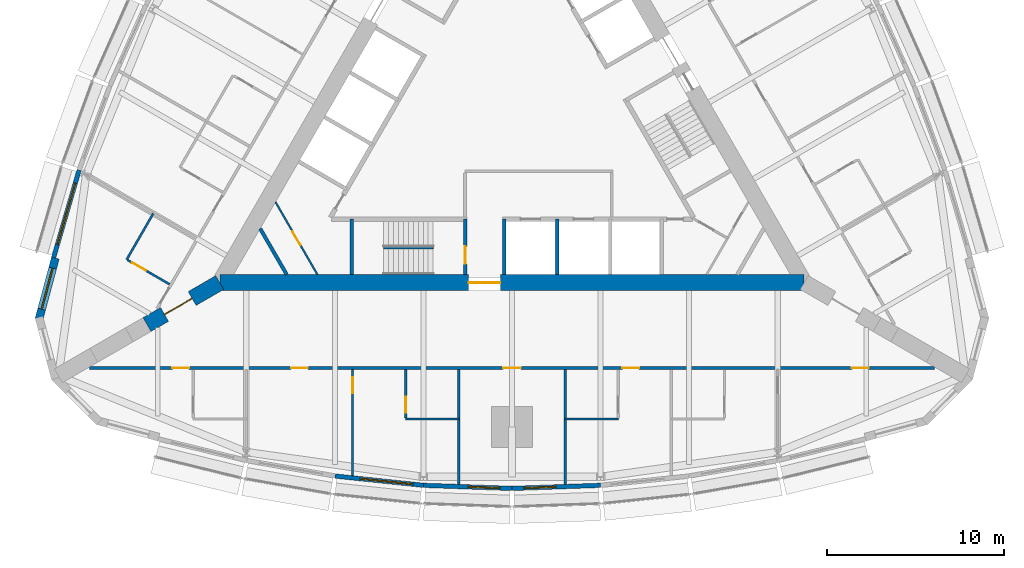
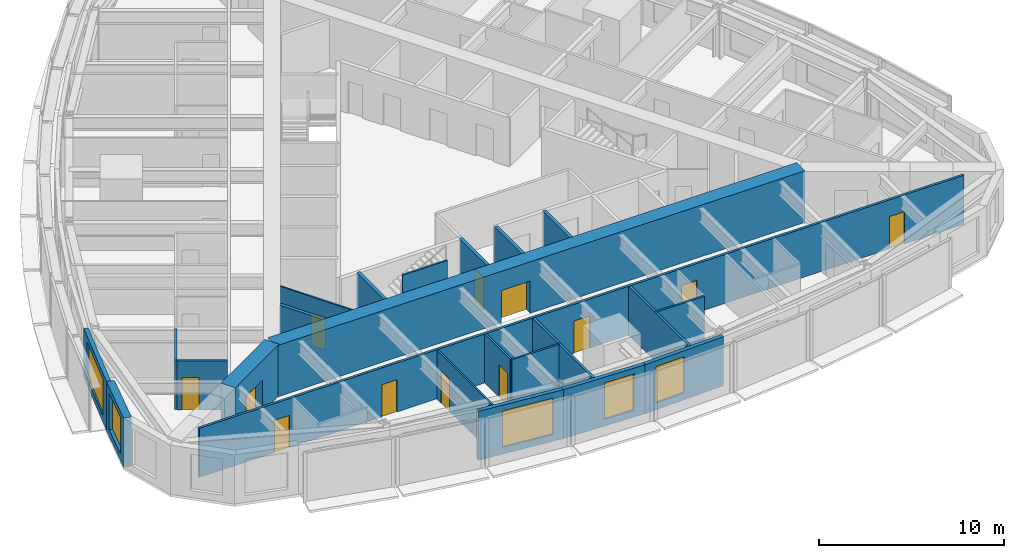
# One storey, part 8 of 14: 23 walls, 12 doors, 5 windows, 17 openings.
"""IFC4 building model written with IfcOpenShell, lengths in metres."""

from ifc_helpers import new_model, si_unit, direction, frame, frame_2d, origin, place, context, subcontext, project, spatial, rectangle, extrude, material, layer, layer_set, type_object, element, fill, save


model = new_model("IFC4")

# Units and contexts
model_context = context("Model", 3, precision=1e-05, world=origin(), true_north=direction((0.0, 1.0)))
body_context = subcontext(model_context, "Body", "Model", "MODEL_VIEW")
ifc_project = project(units=[si_unit("LENGTHUNIT", "METRE"), si_unit("AREAUNIT", "SQUARE_METRE"), si_unit("VOLUMEUNIT", "CUBIC_METRE"), si_unit("PLANEANGLEUNIT", "RADIAN"), si_unit("MASSUNIT", "GRAM", prefix="KILO")], contexts=[model_context])

# Site, building, storey
site_placement = place(None, origin())
site = spatial("IfcSite", under=ifc_project, at=site_placement, CompositionType="ELEMENT")
building_placement = place(site_placement, origin())
building = spatial("IfcBuilding", under=site, at=building_placement, Name="Trikona Tower", CompositionType="ELEMENT")
storey_placement = place(building_placement, frame((0.0, 0.0, 172.5)))
storey = spatial("IfcBuildingStorey", under=building, at=storey_placement, Name="L46", CompositionType="ELEMENT", Elevation=172.5)

# Wall
ifc_material_1 = material(Name="Metal stud and cement board", Category="gypsum")
ifc_layer_1 = layer(ifc_material_1, 0.1201171875)
ifc_layer_set_1 = layer_set([ifc_layer_1], Name="Bathroom wall 120")
wall_type_1 = type_object("IfcWallType", Name="Bathroom wall 120", PredefinedType="PLUMBINGWALL", material=ifc_layer_set_1)
wall_1_placement = place(storey_placement, frame((-6.0, -17.226318359375, 0.0), z_axis=(0.0, 0.0, 1.0), x_axis=(1.0, 0.0, 0.0)))
element("IfcWall", 1, at=wall_1_placement, inside=storey, type_object=wall_type_1, Name="Bathroom wall 4602.1", PredefinedType="PLUMBINGWALL", context=body_context, shape_type="SweptSolid", body=[
    extrude(rectangle(XDim=3.0, YDim=0.1201171875, at=frame_2d((1.5, 0.0))), origin(), (0.0, 0.0, 1.0), 3.235107421875),
])

# Wall, opening, door
wall_2_placement = place(storey_placement, frame((-6.0, -14.42626953125, 0.0), z_axis=(0.0, 0.0, 1.0), x_axis=(0.0, -1.0, 0.0)))
wall_2 = element("IfcWall", 2, at=wall_2_placement, inside=storey, type_object=wall_type_1, Name="Bathroom wall 4602.1", PredefinedType="PLUMBINGWALL", context=body_context, shape_type="SweptSolid", body=[
    extrude(rectangle(XDim=2.739990234375, YDim=0.1201171875, at=frame_2d((1.3701171875, 0.0))), origin(), (0.0, 0.0, 1.0), 3.235107421875),
])
opening_1_placement = place(wall_2_placement, frame((1.550048828125, 0.0, 0.0)))
opening_1 = element("IfcOpeningElement", 3, at=opening_1_placement, cuts=wall_2, Name="Opening D2", PredefinedType="OPENING", context=body_context, shape_type="SweptSolid", body=[
    extrude(rectangle(XDim=0.89990234375, YDim=2.1298828125, at=frame_2d((0.449951171875, 1.06494140625))), frame((0.0, 0.070068359375, 0.0), z_axis=(0.0, -1.0, 0.0), x_axis=(1.0, 0.0, 0.0)), (0.0, 0.0, 1.0), 0.14013671875),
])
ifc_material_2 = material(Name="Steel door frame with solid-core timber leaf", Category="steel")
door_type_1 = type_object("IfcDoorType", Name="Bathroom door 900x2130", OperationType="SLIDING_TO_LEFT", PredefinedType="DOOR", material=ifc_material_2)
door_1_placement = place(opening_1_placement, origin())
door_1 = element("IfcDoor", 4, at=door_1_placement, inside=storey, type_object=door_type_1, Name="Bathroom door 4602.1", OperationType="SLIDING_TO_LEFT", OverallHeight=2.1298828125, OverallWidth=0.89990234375, PredefinedType="DOOR", context=body_context, shape_type="SweptSolid", body=[
    extrude(rectangle(XDim=0.89990234375, YDim=2.1298828125, at=frame_2d((0.449951171875, 1.06494140625))), frame((0.0, 0.02490234375, 0.0), z_axis=(0.0, -1.0, 0.0), x_axis=(1.0, 0.0, 0.0)), (0.0, 0.0, 1.0), 0.050048828125),
])
fill(opening_1, door_1)

# Walls
for number, where, z_axis, x_axis, name in (
    (5, (3.0, -17.226318359375, 0.0), (0.0, 0.0, 1.0), (1.0, 0.0, 0.0), "Bathroom wall 4603"),
    (6, (-20.25341796875, -5.627197265625, 0.0), (0.0, 0.0, 1.0), (-0.499990139034, -0.866031096941, 0.0), "Bathroom wall 4613"),
):
    element("IfcWall", number, at=place(storey_placement, frame(where, z_axis=z_axis, x_axis=x_axis)), inside=storey, type_object=wall_type_1, Name=name, PredefinedType="PLUMBINGWALL", context=body_context, shape_type="SweptSolid", body=[
        extrude(rectangle(XDim=3.0, YDim=0.1201171875, at=frame_2d((1.5, 0.0))), origin(), (0.0, 0.0, 1.0), 3.235107421875),
    ])

# Wall, opening, door
wall_3_placement = place(storey_placement, frame((-19.32861328125, -9.625244140625, 0.0), z_axis=(0.0, 0.0, 1.0), x_axis=(-0.866035715982, 0.499982138324, 0.0)))
wall_3 = element("IfcWall", 7, at=wall_3_placement, inside=storey, type_object=wall_type_1, Name="Bathroom wall 4613", PredefinedType="PLUMBINGWALL", context=body_context, shape_type="SweptSolid", body=[
    extrude(rectangle(XDim=2.73974609375, YDim=0.1201171875, at=frame_2d((1.369873046875, 0.0))), origin(), (0.0, 0.0, 1.0), 3.235107421875),
])
opening_2_placement = place(wall_3_placement, frame((1.550048828125, 0.0, 0.0)))
opening_2 = element("IfcOpeningElement", 8, at=opening_2_placement, cuts=wall_3, Name="Opening D2", PredefinedType="OPENING", context=body_context, shape_type="SweptSolid", body=[
    extrude(rectangle(XDim=0.89990234375, YDim=2.1298828125, at=frame_2d((0.449951171875, 1.06494140625))), frame((0.0, 0.070068359375, 0.0), z_axis=(0.0, -1.0, 0.0), x_axis=(1.0, 0.0, 0.0)), (0.0, 0.0, 1.0), 0.14013671875),
])
door_2_placement = place(opening_2_placement, origin())
door_2 = element("IfcDoor", 9, at=door_2_placement, inside=storey, type_object=door_type_1, Name="Bathroom door 4613", OperationType="SLIDING_TO_LEFT", OverallHeight=2.1298828125, OverallWidth=0.89990234375, PredefinedType="DOOR", context=body_context, shape_type="SweptSolid", body=[
    extrude(rectangle(XDim=0.89990234375, YDim=2.1298828125, at=frame_2d((0.449951171875, 1.06494140625))), frame((0.0, 0.02490234375, 0.0), z_axis=(0.0, -1.0, 0.0), x_axis=(1.0, 0.0, 0.0)), (0.0, 0.0, 1.0), 0.050048828125),
])
fill(opening_2, door_2)

# Wall, opening, window
ifc_material_3 = material(Name="Brick-faced precast concrete", Category="masonry")
ifc_layer_2 = layer(ifc_material_3, 0.449951171875)
ifc_layer_set_2 = layer_set([ifc_layer_2], Name="Brick-faced corner wall 450")
wall_type_2 = type_object("IfcWallType", Name="Brick-faced corner wall 450", PredefinedType="SOLIDWALL", material=ifc_layer_set_2)
wall_4_placement = place(storey_placement, frame((-25.78271484375, -8.14111328125, 0.0), z_axis=(0.0, 0.0, 1.0), x_axis=(-0.258823421857, -0.965924653531, 0.0)))
wall_4 = element("IfcWall", 10, at=wall_4_placement, inside=storey, type_object=wall_type_2, Name="External wall L46-32", PredefinedType="SOLIDWALL", context=body_context, shape_type="SweptSolid", body=[
    extrude(rectangle(XDim=3.58642578125, YDim=0.449951171875, at=frame_2d((1.793212890625, 0.0))), origin(), (0.0, 0.0, 1.0), 3.235107421875),
])
opening_3_placement = place(wall_4_placement, frame((0.593017578125, 0.0, 0.449951171875)))
opening_3 = element("IfcOpeningElement", 11, at=opening_3_placement, cuts=wall_4, Name="Opening W2424", PredefinedType="OPENING", context=body_context, shape_type="SweptSolid", body=[
    extrude(rectangle(XDim=2.39990234375, YDim=2.39990234375, at=frame_2d((1.199951171875, 1.199951171875))), frame((0.0, 0.23486328125, 0.0), z_axis=(0.0, -1.0, 0.0), x_axis=(1.0, 0.0, 0.0)), (0.0, 0.0, 1.0), 0.469970703125),
])
ifc_material_4 = material(Name="Aluminium-framed double glazing", Category="aluminium")
window_type_1 = type_object("IfcWindowType", Name="Window 2400x2400", PartitioningType="SINGLE_PANEL", PredefinedType="WINDOW", material=ifc_material_4)
window_1_placement = place(opening_3_placement, origin())
window_1 = element("IfcWindow", 12, at=window_1_placement, inside=storey, type_object=window_type_1, Name="Window 4613", OverallHeight=2.39990234375, OverallWidth=2.39990234375, PartitioningType="SINGLE_PANEL", PredefinedType="WINDOW", context=body_context, shape_type="SweptSolid", body=[
    extrude(rectangle(XDim=2.39990234375, YDim=2.39990234375, at=frame_2d((1.199951171875, 1.199951171875))), frame((0.0, 0.030029296875, 0.0), z_axis=(0.0, -1.0, 0.0), x_axis=(1.0, 0.0, 0.0)), (0.0, 0.0, 1.0), 0.06005859375),
])
fill(opening_3, window_1)

# Wall, opening, door
ifc_material_5 = material(Name="Concrete f'c 10000 psi", Category="concrete")
ifc_layer_3 = layer(ifc_material_5, 0.89990234375)
ifc_layer_set_3 = layer_set([ifc_layer_3], Name="Buttress wall 900")
wall_type_3 = type_object("IfcWallType", Name="Buttress wall 900", PredefinedType="SHEAR", material=ifc_layer_set_3)
wall_5_placement = place(storey_placement, frame((-16.5, -9.5263671875, 0.0), z_axis=(0.0, 0.0, 1.0), x_axis=(-0.866031398331, -0.499989616998, 0.0)))
wall_5 = element("IfcWall", 13, at=wall_5_placement, inside=storey, type_object=wall_type_3, Name="Buttress wall 3", PredefinedType="SHEAR", context=body_context, shape_type="SweptSolid", body=[
    extrude(rectangle(XDim=4.74609375, YDim=0.89990234375, at=frame_2d((2.373046875, 0.0))), origin(), (0.0, 0.0, 1.0), 3.39990234375),
])
opening_4_placement = place(wall_5_placement, frame((1.800048828125, 0.0, 0.0)))
opening_4 = element("IfcOpeningElement", 14, at=opening_4_placement, cuts=wall_5, Name="Opening D10", PredefinedType="OPENING", context=body_context, shape_type="SweptSolid", body=[
    extrude(rectangle(XDim=1.800048828125, YDim=2.1298828125, at=frame_2d((0.89990234375, 1.06494140625))), frame((0.0, 0.4599609375, 0.0), z_axis=(0.0, -1.0, 0.0), x_axis=(1.0, 0.0, 0.0)), (0.0, 0.0, 1.0), 0.919921875),
])
ifc_material_6 = material(Name="Hollow metal door and frame", Category="steel")
door_type_2 = type_object("IfcDoorType", Name="Cross-corridor door pair 1800x2130", OperationType="DOUBLE_DOOR_DOUBLE_SWING", PredefinedType="DOOR", material=ifc_material_6)
door_3_placement = place(opening_4_placement, origin())
door_3 = element("IfcDoor", 15, at=door_3_placement, inside=storey, type_object=door_type_2, Name="Cross-corridor door 3", OperationType="DOUBLE_DOOR_DOUBLE_SWING", OverallHeight=2.1298828125, OverallWidth=1.800048828125, PredefinedType="DOOR", context=body_context, shape_type="SweptSolid", body=[
    extrude(rectangle(XDim=1.800048828125, YDim=2.1298828125, at=frame_2d((0.89990234375, 1.06494140625))), frame((0.0, 0.02490234375, 0.0), z_axis=(0.0, -1.0, 0.0), x_axis=(1.0, 0.0, 0.0)), (0.0, 0.0, 1.0), 0.050048828125),
])
fill(opening_4, door_3)

ifc_material_7 = material(Name="Concrete f'c 10000 psi", Category="concrete")
ifc_layer_4 = layer(ifc_material_7, 0.89990234375)
ifc_layer_set_4 = layer_set([ifc_layer_4], Name="Core wall 900")
wall_type_4 = type_object("IfcWallType", Name="Core wall 900", PredefinedType="SHEAR", material=ifc_layer_set_4)
wall_6_placement = place(storey_placement, frame((-16.5, -9.5263671875, 0.0), z_axis=(0.0, 0.0, 1.0), x_axis=(1.0, 0.0, 0.0)))
wall_6 = element("IfcWall", 16, at=wall_6_placement, inside=storey, type_object=wall_type_4, Name="Core wall A", PredefinedType="SHEAR", context=body_context, shape_type="SweptSolid", body=[
    extrude(rectangle(XDim=33.0, YDim=0.89990234375, at=frame_2d((16.5, 0.0))), origin(), (0.0, 0.0, 1.0), 3.39990234375),
])
opening_5_placement = place(wall_6_placement, frame((14.050048828125, 0.0, 0.0)))
opening_5 = element("IfcOpeningElement", 17, at=opening_5_placement, cuts=wall_6, Name="Opening D6", PredefinedType="OPENING", context=body_context, shape_type="SweptSolid", body=[
    extrude(rectangle(XDim=1.800048828125, YDim=2.1298828125, at=frame_2d((0.89990234375, 1.06494140625))), frame((0.0, 0.4599609375, 0.0), z_axis=(0.0, -1.0, 0.0), x_axis=(1.0, 0.0, 0.0)), (0.0, 0.0, 1.0), 0.919921875),
])
ifc_material_8 = material(Name="Hollow metal door and frame", Category="steel")
door_type_3 = type_object("IfcDoorType", Name="Lobby door pair 1800x2130", OperationType="DOUBLE_DOOR_SINGLE_SWING", PredefinedType="DOOR", material=ifc_material_8)
door_4_placement = place(opening_5_placement, origin())
door_4 = element("IfcDoor", 18, at=door_4_placement, inside=storey, type_object=door_type_3, Name="Fire service lift lobby door", OperationType="DOUBLE_DOOR_SINGLE_SWING", OverallHeight=2.1298828125, OverallWidth=1.800048828125, PredefinedType="DOOR", context=body_context, shape_type="SweptSolid", body=[
    extrude(rectangle(XDim=1.800048828125, YDim=2.1298828125, at=frame_2d((0.89990234375, 1.06494140625))), frame((0.0, 0.02490234375, 0.0), z_axis=(0.0, -1.0, 0.0), x_axis=(1.0, 0.0, 0.0)), (0.0, 0.0, 1.0), 0.050048828125),
])
fill(opening_5, door_4)

# Wall, openings, doors
ifc_material_9 = material(Name="Metal stud and gypsum board, 1-hour", Category="gypsum")
ifc_layer_5 = layer(ifc_material_9, 0.14990234375)
ifc_layer_set_5 = layer_set([ifc_layer_5], Name="Corridor wall 150")
wall_type_5 = type_object("IfcWallType", Name="Corridor wall 150", PredefinedType="PARTITIONING", material=ifc_layer_set_5)
wall_7_placement = place(storey_placement, frame((-23.857177734375, -14.351318359375, 0.0), z_axis=(0.0, 0.0, 1.0), x_axis=(1.0, 0.0, 0.0)))
wall_7 = element("IfcWall", 19, at=wall_7_placement, inside=storey, type_object=wall_type_5, Name="Corridor wall L46-1", PredefinedType="PARTITIONING", context=body_context, shape_type="SweptSolid", body=[
    extrude(rectangle(XDim=47.71435546875, YDim=0.14990234375, at=frame_2d((23.857177734375, 0.0))), origin(), (0.0, 0.0, 1.0), 3.235107421875),
])
opening_6_placement = place(wall_7_placement, frame((4.68212890625, 0.0, 0.0)))
opening_6 = element("IfcOpeningElement", 20, at=opening_6_placement, cuts=wall_7, Name="Opening D1", PredefinedType="OPENING", context=body_context, shape_type="SweptSolid", body=[
    extrude(rectangle(XDim=0.949951171875, YDim=2.1298828125, at=frame_2d((0.47509765625, 1.06494140625))), frame((0.0, 0.0849609375, 0.0), z_axis=(0.0, -1.0, 0.0), x_axis=(1.0, 0.0, 0.0)), (0.0, 0.0, 1.0), 0.169921875),
])
opening_7_placement = place(wall_7_placement, frame((11.382080078125, 0.0, 0.0)))
opening_7 = element("IfcOpeningElement", 21, at=opening_7_placement, cuts=wall_7, Name="Opening D1", PredefinedType="OPENING", context=body_context, shape_type="SweptSolid", body=[
    extrude(rectangle(XDim=0.949951171875, YDim=2.1298828125, at=frame_2d((0.47509765625, 1.06494140625))), frame((0.0, 0.0849609375, 0.0), z_axis=(0.0, -1.0, 0.0), x_axis=(1.0, 0.0, 0.0)), (0.0, 0.0, 1.0), 0.169921875),
])
opening_8_placement = place(wall_7_placement, frame((23.357177734375, 0.0, 0.0)))
opening_8 = element("IfcOpeningElement", 22, at=opening_8_placement, cuts=wall_7, Name="Opening D3", PredefinedType="OPENING", context=body_context, shape_type="SweptSolid", body=[
    extrude(rectangle(XDim=1.0, YDim=2.1298828125, at=frame_2d((0.5, 1.06494140625))), frame((0.0, 0.0849609375, 0.0), z_axis=(0.0, -1.0, 0.0), x_axis=(1.0, 0.0, 0.0)), (0.0, 0.0, 1.0), 0.169921875),
])
opening_9_placement = place(wall_7_placement, frame((30.08203125, 0.0, 0.0)))
opening_9 = element("IfcOpeningElement", 23, at=opening_9_placement, cuts=wall_7, Name="Opening D1", PredefinedType="OPENING", context=body_context, shape_type="SweptSolid", body=[
    extrude(rectangle(XDim=0.949951171875, YDim=2.1298828125, at=frame_2d((0.47509765625, 1.06494140625))), frame((0.0, 0.0849609375, 0.0), z_axis=(0.0, -1.0, 0.0), x_axis=(1.0, 0.0, 0.0)), (0.0, 0.0, 1.0), 0.169921875),
])
opening_10_placement = place(wall_7_placement, frame((43.041015625, 0.0, 0.0)))
opening_10 = element("IfcOpeningElement", 24, at=opening_10_placement, cuts=wall_7, Name="Opening D1", PredefinedType="OPENING", context=body_context, shape_type="SweptSolid", body=[
    extrude(rectangle(XDim=0.949951171875, YDim=2.1298828125, at=frame_2d((0.47509765625, 1.06494140625))), frame((0.0, 0.0849609375, 0.0), z_axis=(0.0, -1.0, 0.0), x_axis=(1.0, 0.0, 0.0)), (0.0, 0.0, 1.0), 0.169921875),
])
ifc_material_10 = material(Name="Steel door frame with solid-core timber leaf", Category="steel")
door_type_4 = type_object("IfcDoorType", Name="Guest room door 950x2130", OperationType="SINGLE_SWING_LEFT", PredefinedType="DOOR", material=ifc_material_10)
door_5_placement = place(opening_6_placement, origin())
door_5 = element("IfcDoor", 25, at=door_5_placement, inside=storey, type_object=door_type_4, Name="Room door 4601", OperationType="SINGLE_SWING_LEFT", OverallHeight=2.1298828125, OverallWidth=0.949951171875, PredefinedType="DOOR", context=body_context, shape_type="SweptSolid", body=[
    extrude(rectangle(XDim=0.949951171875, YDim=2.1298828125, at=frame_2d((0.47509765625, 1.06494140625))), frame((0.0, 0.02490234375, 0.0), z_axis=(0.0, -1.0, 0.0), x_axis=(1.0, 0.0, 0.0)), (0.0, 0.0, 1.0), 0.050048828125),
])
fill(opening_6, door_5)
door_6_placement = place(opening_7_placement, origin())
door_6 = element("IfcDoor", 26, at=door_6_placement, inside=storey, type_object=door_type_4, Name="Room door 4602", OperationType="SINGLE_SWING_RIGHT", OverallHeight=2.1298828125, OverallWidth=0.949951171875, PredefinedType="DOOR", context=body_context, shape_type="SweptSolid", body=[
    extrude(rectangle(XDim=0.949951171875, YDim=2.1298828125, at=frame_2d((0.47509765625, 1.06494140625))), frame((0.0, 0.02490234375, 0.0), z_axis=(0.0, -1.0, 0.0), x_axis=(1.0, 0.0, 0.0)), (0.0, 0.0, 1.0), 0.050048828125),
])
fill(opening_7, door_6)
door_7_placement = place(opening_9_placement, origin())
door_7 = element("IfcDoor", 27, at=door_7_placement, inside=storey, type_object=door_type_4, Name="Room door 4603", OperationType="SINGLE_SWING_RIGHT", OverallHeight=2.1298828125, OverallWidth=0.949951171875, PredefinedType="DOOR", context=body_context, shape_type="SweptSolid", body=[
    extrude(rectangle(XDim=0.949951171875, YDim=2.1298828125, at=frame_2d((0.47509765625, 1.06494140625))), frame((0.0, 0.02490234375, 0.0), z_axis=(0.0, -1.0, 0.0), x_axis=(1.0, 0.0, 0.0)), (0.0, 0.0, 1.0), 0.050048828125),
])
fill(opening_9, door_7)
door_8_placement = place(opening_10_placement, origin())
door_8 = element("IfcDoor", 28, at=door_8_placement, inside=storey, type_object=door_type_4, Name="Room door 4604", OperationType="SINGLE_SWING_RIGHT", OverallHeight=2.1298828125, OverallWidth=0.949951171875, PredefinedType="DOOR", context=body_context, shape_type="SweptSolid", body=[
    extrude(rectangle(XDim=0.949951171875, YDim=2.1298828125, at=frame_2d((0.47509765625, 1.06494140625))), frame((0.0, 0.02490234375, 0.0), z_axis=(0.0, -1.0, 0.0), x_axis=(1.0, 0.0, 0.0)), (0.0, 0.0, 1.0), 0.050048828125),
])
fill(opening_10, door_8)
ifc_material_11 = material(Name="Steel door frame with solid-core timber leaf", Category="steel")
door_type_5 = type_object("IfcDoorType", Name="Room door 1000x2130", OperationType="SINGLE_SWING_LEFT", PredefinedType="DOOR", material=ifc_material_11)
door_9_placement = place(opening_8_placement, origin())
door_9 = element("IfcDoor", 29, at=door_9_placement, inside=storey, type_object=door_type_5, Name="Door Housekeeping pantry", OperationType="SINGLE_SWING_LEFT", OverallHeight=2.1298828125, OverallWidth=1.0, PredefinedType="DOOR", context=body_context, shape_type="SweptSolid", body=[
    extrude(rectangle(XDim=1.0, YDim=2.1298828125, at=frame_2d((0.5, 1.06494140625))), frame((0.0, 0.02490234375, 0.0), z_axis=(0.0, -1.0, 0.0), x_axis=(1.0, 0.0, 0.0)), (0.0, 0.0, 1.0), 0.050048828125),
])
fill(opening_8, door_9)

# Wall, opening, window
ifc_material_12 = material(Name="Insulated precast concrete spandrel panel", Category="concrete")
ifc_layer_6 = layer(ifc_material_12, 0.25)
ifc_layer_set_6 = layer_set([ifc_layer_6], Name="Inner skin wall 250")
wall_type_6 = type_object("IfcWallType", Name="Inner skin wall 250", PredefinedType="STANDARD", material=ifc_layer_set_6)
wall_8_placement = place(storey_placement, frame((-9.98681640625, -20.450927734375, 0.0), z_axis=(0.0, 0.0, 1.0), x_axis=(0.994534683851, -0.104406717299, 0.0)))
wall_8 = element("IfcWall", 30, at=wall_8_placement, inside=storey, type_object=wall_type_6, Name="External wall L46-02", PredefinedType="STANDARD", context=body_context, shape_type="SweptSolid", body=[
    extrude(rectangle(XDim=5.027587890625, YDim=0.25, at=frame_2d((2.513671875, 0.0))), origin(), (0.0, 0.0, 1.0), 3.235107421875),
])
opening_11_placement = place(wall_8_placement, frame((1.41796875, 0.0, 0.449951171875)))
opening_11 = element("IfcOpeningElement", 31, at=opening_11_placement, cuts=wall_8, Name="Opening W3024", PredefinedType="OPENING", context=body_context, shape_type="SweptSolid", body=[
    extrude(rectangle(XDim=3.0, YDim=2.39990234375, at=frame_2d((1.5, 1.199951171875))), frame((0.0, 0.135009765625, 0.0), z_axis=(0.0, -1.0, 0.0), x_axis=(1.0, 0.0, 0.0)), (0.0, 0.0, 1.0), 0.27001953125),
])
ifc_material_13 = material(Name="Aluminium-framed double glazing", Category="aluminium")
window_type_2 = type_object("IfcWindowType", Name="Window 3000x2400", PartitioningType="SINGLE_PANEL", PredefinedType="WINDOW", material=ifc_material_13)
window_2_placement = place(opening_11_placement, origin())
window_2 = element("IfcWindow", 32, at=window_2_placement, inside=storey, type_object=window_type_2, Name="Window 4602.1", OverallHeight=2.39990234375, OverallWidth=3.0, PartitioningType="SINGLE_PANEL", PredefinedType="WINDOW", context=body_context, shape_type="SweptSolid", body=[
    extrude(rectangle(XDim=3.0, YDim=2.39990234375, at=frame_2d((1.5, 1.199951171875))), frame((0.0, 0.030029296875, 0.0), z_axis=(0.0, -1.0, 0.0), x_axis=(1.0, 0.0, 0.0)), (0.0, 0.0, 1.0), 0.06005859375),
])
fill(opening_11, window_2)

wall_9_placement = place(storey_placement, frame((-4.99560546875, -20.975341796875, 0.0), z_axis=(0.0, 0.0, 1.0), x_axis=(0.999387720943, -0.034988329879, 0.0)))
wall_9 = element("IfcWall", 33, at=wall_9_placement, inside=storey, type_object=wall_type_6, Name="External wall L46-03", PredefinedType="STANDARD", context=body_context, shape_type="SweptSolid", body=[
    extrude(rectangle(XDim=5.003173828125, YDim=0.25, at=frame_2d((2.50146484375, 0.0))), origin(), (0.0, 0.0, 1.0), 3.235107421875),
])
opening_12_placement = place(wall_9_placement, frame((2.519287109375, 0.0, 0.449951171875)))
opening_12 = element("IfcOpeningElement", 34, at=opening_12_placement, cuts=wall_9, Name="Opening W1824", PredefinedType="OPENING", context=body_context, shape_type="SweptSolid", body=[
    extrude(rectangle(XDim=1.800048828125, YDim=2.39990234375, at=frame_2d((0.89990234375, 1.199951171875))), frame((0.0, 0.135009765625, 0.0), z_axis=(0.0, -1.0, 0.0), x_axis=(1.0, 0.0, 0.0)), (0.0, 0.0, 1.0), 0.27001953125),
])
ifc_material_14 = material(Name="Aluminium-framed double glazing", Category="aluminium")
window_type_3 = type_object("IfcWindowType", Name="Window 1800x2400", PartitioningType="SINGLE_PANEL", PredefinedType="WINDOW", material=ifc_material_14)
window_3_placement = place(opening_12_placement, origin())
window_3 = element("IfcWindow", 35, at=window_3_placement, inside=storey, type_object=window_type_3, Name="Window L46-HKP", OverallHeight=2.39990234375, OverallWidth=1.800048828125, PartitioningType="SINGLE_PANEL", PredefinedType="WINDOW", context=body_context, shape_type="SweptSolid", body=[
    extrude(rectangle(XDim=1.800048828125, YDim=2.39990234375, at=frame_2d((0.89990234375, 1.199951171875))), frame((0.0, 0.030029296875, 0.0), z_axis=(0.0, -1.0, 0.0), x_axis=(1.0, 0.0, 0.0)), (0.0, 0.0, 1.0), 0.06005859375),
])
fill(opening_12, window_3)

wall_10_placement = place(storey_placement, frame((-0.00439453125, -21.150390625, 0.0), z_axis=(0.0, 0.0, 1.0), x_axis=(0.999387720943, 0.034988329879, 0.0)))
wall_10 = element("IfcWall", 36, at=wall_10_placement, inside=storey, type_object=wall_type_6, Name="External wall L46-04", PredefinedType="STANDARD", context=body_context, shape_type="SweptSolid", body=[
    extrude(rectangle(XDim=5.003173828125, YDim=0.25, at=frame_2d((2.50146484375, 0.0))), origin(), (0.0, 0.0, 1.0), 3.235107421875),
])
opening_13_placement = place(wall_10_placement, frame((0.683837890625, 0.0, 0.449951171875)))
opening_13 = element("IfcOpeningElement", 37, at=opening_13_placement, cuts=wall_10, Name="Opening W1824", PredefinedType="OPENING", context=body_context, shape_type="SweptSolid", body=[
    extrude(rectangle(XDim=1.800048828125, YDim=2.39990234375, at=frame_2d((0.89990234375, 1.199951171875))), frame((0.0, 0.135009765625, 0.0), z_axis=(0.0, -1.0, 0.0), x_axis=(1.0, 0.0, 0.0)), (0.0, 0.0, 1.0), 0.27001953125),
])
window_4_placement = place(opening_13_placement, origin())
window_4 = element("IfcWindow", 38, at=window_4_placement, inside=storey, type_object=window_type_3, Name="Window L46-HKP", OverallHeight=2.39990234375, OverallWidth=1.800048828125, PartitioningType="SINGLE_PANEL", PredefinedType="WINDOW", context=body_context, shape_type="SweptSolid", body=[
    extrude(rectangle(XDim=1.800048828125, YDim=2.39990234375, at=frame_2d((0.89990234375, 1.199951171875))), frame((0.0, 0.030029296875, 0.0), z_axis=(0.0, -1.0, 0.0), x_axis=(1.0, 0.0, 0.0)), (0.0, 0.0, 1.0), 0.06005859375),
])
fill(opening_13, window_4)

wall_11_placement = place(storey_placement, frame((-24.44091796875, -3.17529296875, 0.0), z_axis=(0.0, 0.0, 1.0), x_axis=(-0.279528287117, -0.960137457191, 0.0)))
wall_11 = element("IfcWall", 39, at=wall_11_placement, inside=storey, type_object=wall_type_6, Name="External wall L46-31", PredefinedType="STANDARD", context=body_context, shape_type="SweptSolid", body=[
    extrude(rectangle(XDim=5.14794921875, YDim=0.25, at=frame_2d((2.573974609375, 0.0))), origin(), (0.0, 0.0, 1.0), 3.235107421875),
])
opening_14_placement = place(wall_11_placement, frame((0.77392578125, 0.0, 0.449951171875)))
opening_14 = element("IfcOpeningElement", 40, at=opening_14_placement, cuts=wall_11, Name="Opening W3624", PredefinedType="OPENING", context=body_context, shape_type="SweptSolid", body=[
    extrude(rectangle(XDim=3.60009765625, YDim=2.39990234375, at=frame_2d((1.800048828125, 1.199951171875))), frame((0.0, 0.135009765625, 0.0), z_axis=(0.0, -1.0, 0.0), x_axis=(1.0, 0.0, 0.0)), (0.0, 0.0, 1.0), 0.27001953125),
])
ifc_material_15 = material(Name="Aluminium-framed double glazing", Category="aluminium")
window_type_4 = type_object("IfcWindowType", Name="Window 3600x2400", PartitioningType="SINGLE_PANEL", PredefinedType="WINDOW", material=ifc_material_15)
window_5_placement = place(opening_14_placement, origin())
window_5 = element("IfcWindow", 41, at=window_5_placement, inside=storey, type_object=window_type_4, Name="Window 4613", OverallHeight=2.39990234375, OverallWidth=3.60009765625, PartitioningType="SINGLE_PANEL", PredefinedType="WINDOW", context=body_context, shape_type="SweptSolid", body=[
    extrude(rectangle(XDim=3.60009765625, YDim=2.39990234375, at=frame_2d((1.800048828125, 1.199951171875))), frame((0.0, 0.030029296875, 0.0), z_axis=(0.0, -1.0, 0.0), x_axis=(1.0, 0.0, 0.0)), (0.0, 0.0, 1.0), 0.06005859375),
])
fill(opening_14, window_5)

# Walls
ifc_material_16 = material(Name="Metal stud and gypsum board, 1-hour acoustic", Category="gypsum")
ifc_layer_7 = layer(ifc_material_16, 0.14990234375)
ifc_layer_set_7 = layer_set([ifc_layer_7], Name="Party wall 150")
wall_type_7 = type_object("IfcWallType", Name="Party wall 150", PredefinedType="PARTITIONING", material=ifc_layer_set_7)
for number, where, z_axis, x_axis, name in (
    (42, (-3.0, -14.42626953125, 0.0), (0.0, 0.0, 1.0), (0.0, -1.0, 0.0), "Partition L46 F1 u-3"),
    (43, (3.0, -14.42626953125, 0.0), (0.0, 0.0, 1.0), (0.0, -1.0, 0.0), "Partition L46 F1 u3"),
):
    element("IfcWall", number, at=place(storey_placement, frame(where, z_axis=z_axis, x_axis=x_axis)), inside=storey, type_object=wall_type_7, Name=name, PredefinedType="PARTITIONING", context=body_context, shape_type="SweptSolid", body=[
        extrude(rectangle(XDim=6.49365234375, YDim=0.14990234375, at=frame_2d((3.246826171875, 0.0))), origin(), (0.0, 0.0, 1.0), 3.235107421875),
    ])
ifc_material_17 = material(Name="Concrete f'c 8000 psi", Category="concrete")
ifc_layer_8 = layer(ifc_material_17, 0.199951171875)
ifc_layer_set_8 = layer_set([ifc_layer_8], Name="Shaft wall 200")
wall_type_8 = type_object("IfcWallType", Name="Shaft wall 200", PredefinedType="SOLIDWALL", material=ifc_layer_set_8)
for number, where, z_axis, x_axis, name in (
    (44, (-0.449951171875, -5.951416015625, 0.0), (0.0, 0.0, 1.0), (0.0, -1.0, 0.0), "Shaft wall A3"),
    (45, (2.550048828125, -5.951416015625, 0.0), (0.0, 0.0, 1.0), (0.0, -1.0, 0.0), "Shaft wall A4"),
):
    element("IfcWall", number, at=place(storey_placement, frame(where, z_axis=z_axis, x_axis=x_axis)), inside=storey, type_object=wall_type_8, Name=name, PredefinedType="SOLIDWALL", context=body_context, shape_type="SweptSolid", body=[
        extrude(rectangle(XDim=3.125, YDim=0.199951171875, at=frame_2d((1.5625, 0.0))), origin(), (0.0, 0.0, 1.0), 3.235107421875),
    ])
wall_12_placement = place(storey_placement, frame((-12.718505859375, -9.076416015625, 0.0), z_axis=(0.0, 0.0, 1.0), x_axis=(-0.499952404951, 0.866052881055, 0.0)))
element("IfcWall", 46, at=wall_12_placement, inside=storey, type_object=wall_type_8, Name="Riser wall L46-RS3", PredefinedType="SOLIDWALL", context=body_context, shape_type="SweptSolid", body=[
    extrude(rectangle(XDim=3.002197265625, YDim=0.199951171875, at=frame_2d((1.5009765625, 0.0))), origin(), (0.0, 0.0, 1.0), 3.235107421875),
])
ifc_material_18 = material(Name="Concrete f'c 8000 psi", Category="concrete")
ifc_layer_9 = layer(ifc_material_18, 0.199951171875)
ifc_layer_set_9 = layer_set([ifc_layer_9], Name="Shaft wall 200 load-bearing")
wall_type_9 = type_object("IfcWallType", Name="Shaft wall 200 load-bearing", PredefinedType="SOLIDWALL", material=ifc_layer_set_9)
wall_13_placement = place(storey_placement, frame((-9.050048828125, -5.951416015625, 0.0), z_axis=(0.0, 0.0, 1.0), x_axis=(0.0, -1.0, 0.0)))
element("IfcWall", 47, at=wall_13_placement, inside=storey, type_object=wall_type_9, Name="Shaft wall A1", PredefinedType="SOLIDWALL", context=body_context, shape_type="SweptSolid", body=[
    extrude(rectangle(XDim=3.125, YDim=0.199951171875, at=frame_2d((1.5625, 0.0))), origin(), (0.0, 0.0, 1.0), 3.235107421875),
])

# Wall, opening, door
wall_14_placement = place(storey_placement, frame((-2.64990234375, -5.951416015625, 0.0), z_axis=(0.0, 0.0, 1.0), x_axis=(0.0, -1.0, 0.0)))
wall_14 = element("IfcWall", 48, at=wall_14_placement, inside=storey, type_object=wall_type_9, Name="Shaft wall A2", PredefinedType="SOLIDWALL", context=body_context, shape_type="SweptSolid", body=[
    extrude(rectangle(XDim=3.125, YDim=0.199951171875, at=frame_2d((1.5625, 0.0))), origin(), (0.0, 0.0, 1.0), 3.235107421875),
])
opening_15_placement = place(wall_14_placement, frame((1.52490234375, 0.0, 0.0)))
opening_15 = element("IfcOpeningElement", 49, at=opening_15_placement, cuts=wall_14, Name="Opening D5", PredefinedType="OPENING", context=body_context, shape_type="SweptSolid", body=[
    extrude(rectangle(XDim=1.0, YDim=2.1298828125, at=frame_2d((0.5, 1.06494140625))), frame((0.0, 0.10986328125, 0.0), z_axis=(0.0, -1.0, 0.0), x_axis=(1.0, 0.0, 0.0)), (0.0, 0.0, 1.0), 0.219970703125),
])
ifc_material_19 = material(Name="Hollow metal door and frame", Category="steel")
door_type_6 = type_object("IfcDoorType", Name="Stair door 1000x2130", OperationType="SINGLE_SWING_LEFT", PredefinedType="DOOR", material=ifc_material_19)
door_10_placement = place(opening_15_placement, origin())
door_10 = element("IfcDoor", 50, at=door_10_placement, inside=storey, type_object=door_type_6, Name="Stair A door", OperationType="SINGLE_SWING_RIGHT", OverallHeight=2.1298828125, OverallWidth=1.0, PredefinedType="DOOR", context=body_context, shape_type="SweptSolid", body=[
    extrude(rectangle(XDim=1.0, YDim=2.1298828125, at=frame_2d((0.5, 1.06494140625))), frame((0.0, 0.02490234375, 0.0), z_axis=(0.0, -1.0, 0.0), x_axis=(1.0, 0.0, 0.0)), (0.0, 0.0, 1.0), 0.050048828125),
])
fill(opening_15, door_10)

# Wall
ifc_material_20 = material(Name="Concrete f'c 5000 psi", Category="concrete")
ifc_layer_10 = layer(ifc_material_20, 0.10009765625)
ifc_layer_set_10 = layer_set([ifc_layer_10], Name="Stair spine wall 100")
wall_type_10 = type_object("IfcWallType", Name="Stair spine wall 100", PredefinedType="SOLIDWALL", material=ifc_layer_set_10)
wall_15_placement = place(storey_placement, frame((-7.2470703125, -7.576416015625, 0.0), z_axis=(0.0, 0.0, 1.0), x_axis=(1.0, 0.0, 0.0)))
element("IfcWall", 51, at=wall_15_placement, inside=storey, type_object=wall_type_10, Name="Stair A spine wall L46", PredefinedType="SOLIDWALL", context=body_context, shape_type="SweptSolid", body=[
    extrude(rectangle(XDim=2.794189453125, YDim=0.10009765625, at=frame_2d((1.39697265625, 0.0))), origin(), (0.0, 0.0, 1.0), 3.39990234375),
])

# Wall, opening, door
ifc_material_21 = material(Name="Metal stud and gypsum board, acoustic", Category="gypsum")
ifc_layer_11 = layer(ifc_material_21, 0.10009765625)
ifc_layer_set_11 = layer_set([ifc_layer_11], Name="Suite partition 100")
wall_type_11 = type_object("IfcWallType", Name="Suite partition 100", PredefinedType="PARTITIONING", material=ifc_layer_set_11)
wall_16_placement = place(storey_placement, frame((-9.0, -14.42626953125, 0.0), z_axis=(0.0, 0.0, 1.0), x_axis=(0.0, -1.0, 0.0)))
wall_16 = element("IfcWall", 52, at=wall_16_placement, inside=storey, type_object=wall_type_11, Name="Suite partition L46 F1 u-9", PredefinedType="PARTITIONING", context=body_context, shape_type="SweptSolid", body=[
    extrude(rectangle(XDim=6.00244140625, YDim=0.10009765625, at=frame_2d((3.001220703125, 0.0))), origin(), (0.0, 0.0, 1.0), 3.235107421875),
])
opening_16_placement = place(wall_16_placement, frame((0.449951171875, 0.0, 0.0)))
opening_16 = element("IfcOpeningElement", 53, at=opening_16_placement, cuts=wall_16, Name="Opening D13", PredefinedType="OPENING", context=body_context, shape_type="SweptSolid", body=[
    extrude(rectangle(XDim=0.89990234375, YDim=2.1298828125, at=frame_2d((0.449951171875, 1.06494140625))), frame((0.0, 0.06005859375, 0.0), z_axis=(0.0, -1.0, 0.0), x_axis=(1.0, 0.0, 0.0)), (0.0, 0.0, 1.0), 0.1201171875),
])
ifc_material_22 = material(Name="Steel door frame with solid-core timber leaf", Category="steel")
door_type_7 = type_object("IfcDoorType", Name="Suite door 900x2130", OperationType="SINGLE_SWING_LEFT", PredefinedType="DOOR", material=ifc_material_22)
door_11_placement = place(opening_16_placement, origin())
door_11 = element("IfcDoor", 54, at=door_11_placement, inside=storey, type_object=door_type_7, Name="Suite door 4602", OperationType="SINGLE_SWING_LEFT", OverallHeight=2.1298828125, OverallWidth=0.89990234375, PredefinedType="DOOR", context=body_context, shape_type="SweptSolid", body=[
    extrude(rectangle(XDim=0.89990234375, YDim=2.1298828125, at=frame_2d((0.449951171875, 1.06494140625))), frame((0.0, 0.02490234375, 0.0), z_axis=(0.0, -1.0, 0.0), x_axis=(1.0, 0.0, 0.0)), (0.0, 0.0, 1.0), 0.050048828125),
])
fill(opening_16, door_11)

wall_17_placement = place(storey_placement, frame((-10.986328125, -9.076416015625, 0.0), z_axis=(0.0, 0.0, 1.0), x_axis=(-0.499999210213, 0.866025859768, 0.0)))
wall_17 = element("IfcWall", 55, at=wall_17_placement, inside=storey, type_object=wall_type_11, Name="Store partition L46-RS3", PredefinedType="PARTITIONING", context=body_context, shape_type="SweptSolid", body=[
    extrude(rectangle(XDim=4.734375, YDim=0.10009765625, at=frame_2d((2.3671875, 0.0))), origin(), (0.0, 0.0, 1.0), 3.235107421875),
])
opening_17_placement = place(wall_17_placement, frame((1.917236328125, 0.0, 0.0)))
opening_17 = element("IfcOpeningElement", 56, at=opening_17_placement, cuts=wall_17, Name="Opening D15", PredefinedType="OPENING", context=body_context, shape_type="SweptSolid", body=[
    extrude(rectangle(XDim=0.89990234375, YDim=2.1298828125, at=frame_2d((0.449951171875, 1.06494140625))), frame((0.0, 0.06005859375, 0.0), z_axis=(0.0, -1.0, 0.0), x_axis=(1.0, 0.0, 0.0)), (0.0, 0.0, 1.0), 0.1201171875),
])
ifc_material_23 = material(Name="Steel door frame with solid-core timber leaf", Category="steel")
door_type_8 = type_object("IfcDoorType", Name="Store door 900x2130", OperationType="SINGLE_SWING_LEFT", PredefinedType="DOOR", material=ifc_material_23)
door_12_placement = place(opening_17_placement, origin())
door_12 = element("IfcDoor", 57, at=door_12_placement, inside=storey, type_object=door_type_8, Name="Door Amenity store AMS", OperationType="SINGLE_SWING_RIGHT", OverallHeight=2.1298828125, OverallWidth=0.89990234375, PredefinedType="DOOR", context=body_context, shape_type="SweptSolid", body=[
    extrude(rectangle(XDim=0.89990234375, YDim=2.1298828125, at=frame_2d((0.449951171875, 1.06494140625))), frame((0.0, 0.02490234375, 0.0), z_axis=(0.0, -1.0, 0.0), x_axis=(1.0, 0.0, 0.0)), (0.0, 0.0, 1.0), 0.050048828125),
])
fill(opening_17, door_12)

save(model, "model.ifc")
